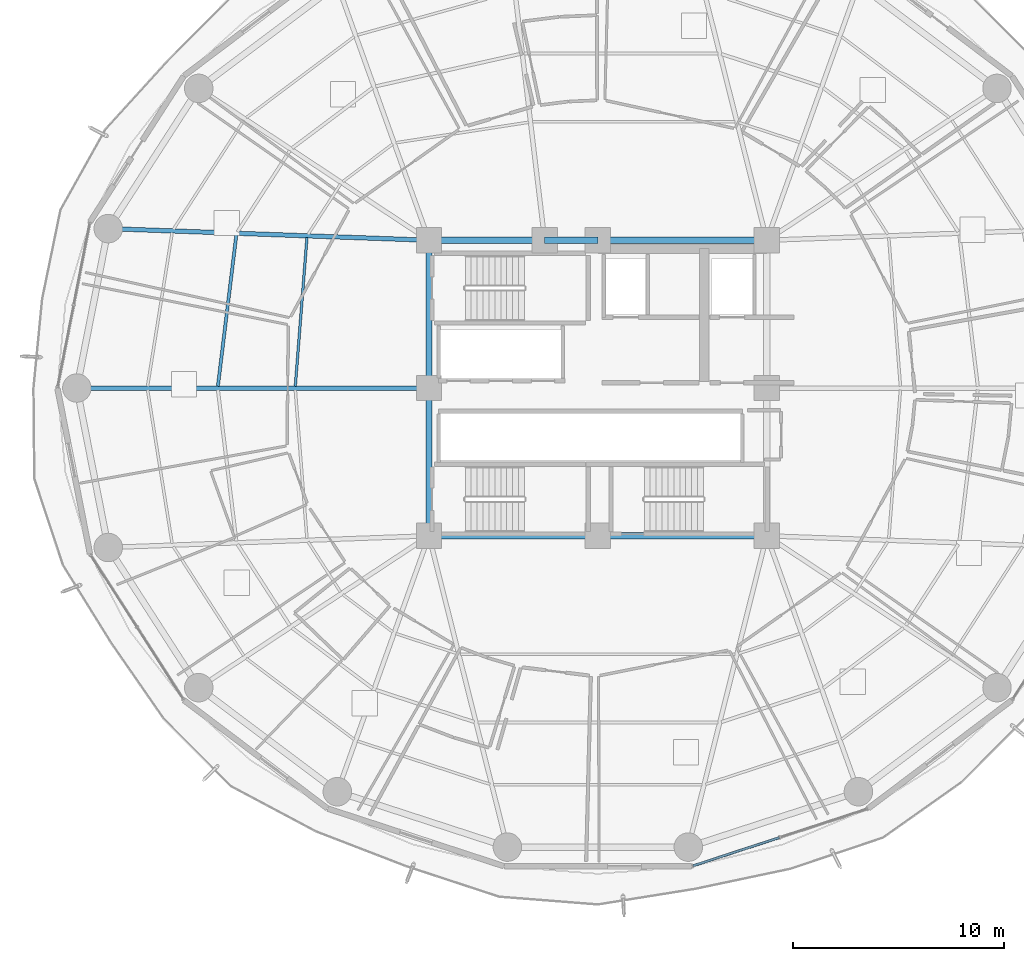
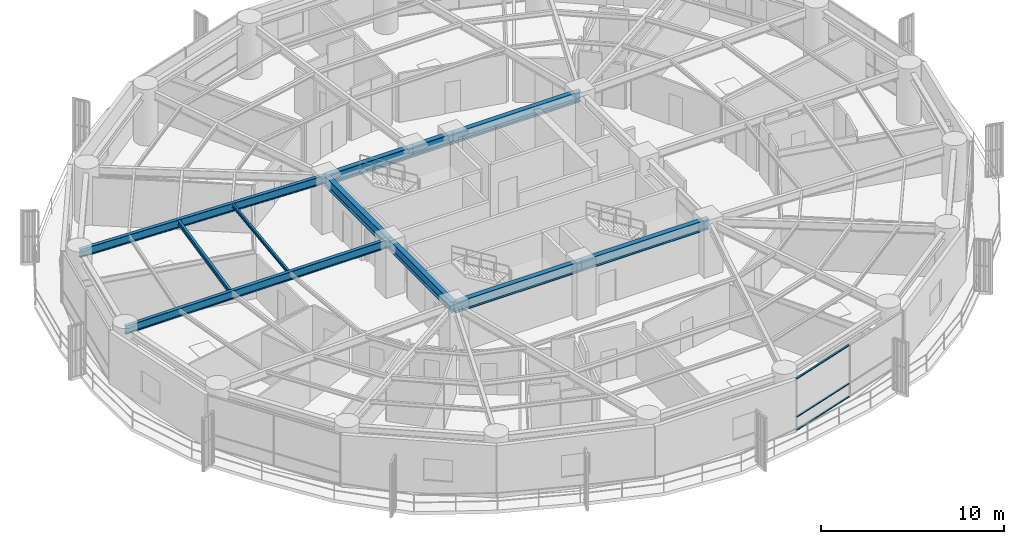
# One storey, part 9 of 35: 11 beams, 3 members, 1 element without a shape of its own.
"""IFC4 building model written with IfcOpenShell, lengths in metres."""

from ifc_helpers import new_model, si_unit, direction, frame, origin, origin_2d, place, context, subcontext, project, spatial, hollow_rectangle, i_section, extrude, material, layer, layer_set, material_profile, profile_set, type_object, element, aggregate, save


model = new_model("IFC4")

# Units and contexts
model_context = context("Model", 3, precision=1e-05, world=origin(), true_north=direction((0.0, 1.0)))
body_context = subcontext(model_context, "Body", "Model", "MODEL_VIEW")
ifc_project = project(units=[si_unit("LENGTHUNIT", "METRE"), si_unit("AREAUNIT", "SQUARE_METRE"), si_unit("VOLUMEUNIT", "CUBIC_METRE"), si_unit("PLANEANGLEUNIT", "RADIAN"), si_unit("MASSUNIT", "GRAM", prefix="KILO")], contexts=[model_context])

# Site, building, storey
site_placement = place(None, origin())
site = spatial("IfcSite", under=ifc_project, at=site_placement, CompositionType="ELEMENT")
building_placement = place(site_placement, origin())
building = spatial("IfcBuilding", under=site, at=building_placement, Name="Kelanora Arch Commons", CompositionType="ELEMENT")
storey_placement = place(building_placement, frame((0.0, 0.0, 117.60009765625)))
storey = spatial("IfcBuildingStorey", under=building, at=storey_placement, Name="L30", CompositionType="ELEMENT", Elevation=117.60009765625)

# Beams
ifc_material_1 = material(Name="Steel S355", Category="steel")
ifc_material_profile_1 = material_profile(ifc_material_1, i_section(OverallWidth=0.300048828125, OverallDepth=0.699951171875, WebThickness=0.01708984375, FlangeThickness=0.031982421875, FilletRadius=0.027099609375, at=origin_2d()), Name="HEB700")
ifc_profile_set_1 = profile_set([ifc_material_profile_1], Name="Steel S355")
beam_type_1 = type_object("IfcBeamType", Name="BM-CORE-HDR", PredefinedType="BEAM", material=ifc_profile_set_1)
for number, where, z_axis, x_axis, name in (
    (1, (66.0, 51.0, 3.139892578125), (1.0, 0.0, 0.0), (0.0, 1.0, 0.0), "Core Header Beam 01 L30"),
    (2, (74.0, 51.0, 3.139892578125), (1.0, 0.0, 0.0), (0.0, 1.0, 0.0), "Core Header Beam 02 L30"),
    (3, (82.0, 65.0, 3.139892578125), (-1.0, 0.0, 0.0), (0.0, -1.0, 0.0), "Core Header Beam 05 L30"),
):
    element("IfcBeam", number, at=place(storey_placement, frame(where, z_axis=z_axis, x_axis=x_axis)), inside=storey, type_object=beam_type_1, Name=name, PredefinedType="BEAM", context=body_context, shape_type="SweptSolid", body=[
        extrude(i_section(OverallWidth=0.300048828125, OverallDepth=0.699951171875, WebThickness=0.01708984375, FlangeThickness=0.031982421875, FilletRadius=0.027099609375, at=origin_2d()), origin(), (0.0, 0.0, 1.0), 8.0),
    ])
beam_1_placement = place(storey_placement, frame((74.0, 65.0, 3.139892578125), z_axis=(-1.0, 0.0, 0.0), x_axis=(0.0, -1.0, 0.0)))
element("IfcBeam", 4, at=beam_1_placement, inside=storey, type_object=beam_type_1, Name="Core Header Beam 06 L30", PredefinedType="BEAM", context=body_context, shape_type="SweptSolid", body=[
    extrude(i_section(OverallWidth=0.300048828125, OverallDepth=0.699951171875, WebThickness=0.01708984375, FlangeThickness=0.031982421875, FilletRadius=0.027099609375, at=origin_2d()), origin(), (0.0, 0.0, 1.0), 2.52001953125),
])
beam_2_placement = place(storey_placement, frame((71.47998046875, 65.0, 3.139892578125), z_axis=(-1.0, 0.0, 0.0), x_axis=(0.0, -1.0, 0.0)))
element("IfcBeam", 5, at=beam_2_placement, inside=storey, type_object=beam_type_1, Name="Core Header Beam 07 L30", PredefinedType="BEAM", context=body_context, shape_type="SweptSolid", body=[
    extrude(i_section(OverallWidth=0.300048828125, OverallDepth=0.699951171875, WebThickness=0.01708984375, FlangeThickness=0.031982421875, FilletRadius=0.027099609375, at=origin_2d()), origin(), (0.0, 0.0, 1.0), 5.47998046875),
])
for number, where, z_axis, x_axis, name in (
    (6, (66.0, 65.0, 3.139892578125), (0.0, -1.0, 0.0), (1.0, 0.0, 0.0), "Core Header Beam 08 L30"),
    (7, (66.0, 58.0, 3.139892578125), (0.0, -1.0, 0.0), (1.0, 0.0, 0.0), "Core Header Beam 09 L30"),
):
    element("IfcBeam", number, at=place(storey_placement, frame(where, z_axis=z_axis, x_axis=x_axis)), inside=storey, type_object=beam_type_1, Name=name, PredefinedType="BEAM", context=body_context, shape_type="SweptSolid", body=[
        extrude(i_section(OverallWidth=0.300048828125, OverallDepth=0.699951171875, WebThickness=0.01708984375, FlangeThickness=0.031982421875, FilletRadius=0.027099609375, at=origin_2d()), origin(), (0.0, 0.0, 1.0), 7.0),
    ])
ifc_material_profile_2 = material_profile(ifc_material_1, i_section(OverallWidth=0.14990234375, OverallDepth=0.300048828125, WebThickness=0.007080078125, FlangeThickness=0.0107421875, FilletRadius=0.014892578125, at=origin_2d()), Name="IPE300")
ifc_profile_set_2 = profile_set([ifc_material_profile_2], Name="Steel S355")
beam_type_2 = type_object("IfcBeamType", Name="BM-JST-01", PredefinedType="JOIST", material=ifc_profile_set_2)
beam_3_placement = place(storey_placement, frame((56.874755859375, 65.24658203125, 3.33984375), z_axis=(-0.120935645266, -0.992660349618, 0.0), x_axis=(0.992660349618, -0.120935645266, 0.0)))
element("IfcBeam", 8, at=beam_3_placement, inside=storey, type_object=beam_type_2, Name="Secondary Chord Joist BJB-16 L30", PredefinedType="JOIST", context=body_context, shape_type="SweptSolid", body=[
    extrude(i_section(OverallWidth=0.14990234375, OverallDepth=0.300048828125, WebThickness=0.007080078125, FlangeThickness=0.0107421875, FilletRadius=0.014892578125, at=origin_2d()), origin(), (0.0, 0.0, 1.0), 7.215087890625),
])
ifc_material_profile_3 = material_profile(ifc_material_1, i_section(OverallWidth=0.1201171875, OverallDepth=0.239990234375, WebThickness=0.006103515625, FlangeThickness=0.009765625, FilletRadius=0.014892578125, at=origin_2d()), Name="IPE240")
ifc_profile_set_3 = profile_set([ifc_material_profile_3], Name="Steel S355")
beam_type_3 = type_object("IfcBeamType", Name="BM-JST-02", PredefinedType="JOIST", material=ifc_profile_set_3)
beam_4_placement = place(storey_placement, frame((60.220458984375, 65.125, 3.369873046875), z_axis=(-0.078200677502, -0.996937637989, 0.0), x_axis=(0.996937637989, -0.078200677502, 0.0)))
element("IfcBeam", 9, at=beam_4_placement, inside=storey, type_object=beam_type_3, Name="Secondary Chord Joist BJA-16 L30", PredefinedType="JOIST", context=body_context, shape_type="SweptSolid", body=[
    extrude(i_section(OverallWidth=0.1201171875, OverallDepth=0.239990234375, WebThickness=0.006103515625, FlangeThickness=0.009765625, FilletRadius=0.014892578125, at=origin_2d()), origin(), (0.0, 0.0, 1.0), 7.06201171875),
])
ifc_material_profile_4 = material_profile(ifc_material_1, i_section(OverallWidth=0.2099609375, OverallDepth=0.550048828125, WebThickness=0.010986328125, FlangeThickness=0.01708984375, FilletRadius=0.02392578125, at=origin_2d()), Name="IPE550")
ifc_profile_set_4 = profile_set([ifc_material_profile_4], Name="Steel S355")
beam_type_4 = type_object("IfcBeamType", Name="BM-RAD-Z2", PredefinedType="BEAM", material=ifc_profile_set_4)
beam_5_placement = place(storey_placement, frame((66.0, 65.0, 3.21484375), z_axis=(-0.999341087625, 0.036295875581, 0.0), x_axis=(-0.036295875581, -0.999341087625, 0.0)))
element("IfcBeam", 10, at=beam_5_placement, inside=storey, type_object=beam_type_4, Name="Radial Floor Girder BR-16 L30", PredefinedType="BEAM", context=body_context, shape_type="SweptSolid", body=[
    extrude(i_section(OverallWidth=0.2099609375, OverallDepth=0.550048828125, WebThickness=0.010986328125, FlangeThickness=0.01708984375, FilletRadius=0.02392578125, at=origin_2d()), origin(), (0.0, 0.0, 1.0), 15.20166015625),
])
beam_6_placement = place(storey_placement, frame((66.0, 58.0, 3.21484375), z_axis=(-1.0, 0.0, 0.0), x_axis=(0.0, -1.0, 0.0)))
element("IfcBeam", 11, at=beam_6_placement, inside=storey, type_object=beam_type_4, Name="Radial Floor Girder BR-18 L30", PredefinedType="BEAM", context=body_context, shape_type="SweptSolid", body=[
    extrude(i_section(OverallWidth=0.2099609375, OverallDepth=0.550048828125, WebThickness=0.010986328125, FlangeThickness=0.01708984375, FilletRadius=0.02392578125, at=origin_2d()), origin(), (0.0, 0.0, 1.0), 16.679931640625),
])

# Curtain wall, members
ifc_material_2 = material(Name="Terracotta ceramic-fritted low-E glass and aluminium", Category="masonry")
ifc_layer = layer(ifc_material_2, 0.159912109375)
ifc_layer_set = layer_set([ifc_layer], Name="Terracotta ceramic-fritted low-E glass and aluminium")
curtain_wall_type = type_object("IfcCurtainWallType", Name="CW-SYS-01", PredefinedType="NOTDEFINED", material=ifc_layer_set)
curtain_wall_placement = place(storey_placement, origin())
curtain_wall = element("IfcCurtainWall", 12, at=curtain_wall_placement, inside=storey, type_object=curtain_wall_type, Name="Unitised Curtain Wall L30-B14", PredefinedType="NOTDEFINED")
ifc_material_3 = material(Name="Powder-coated aluminium terracotta", Category="masonry")
ifc_material_profile_5 = material_profile(ifc_material_3, hollow_rectangle(XDim=0.1201171875, YDim=0.06005859375, WallThickness=0.0048828125, InnerFilletRadius=0.0048828125, OuterFilletRadius=0.010009765625, at=origin_2d()), Name="CWT120x60")
ifc_profile_set_5 = profile_set([ifc_material_profile_5], Name="Powder-coated aluminium terracotta")
member_type = type_object("IfcMemberType", Name="CWT-STD", PredefinedType="USERDEFINED", material=ifc_profile_set_5)
member_1_placement = place(storey_placement, frame((78.516845703125, 35.372802734375, 0.02978515625), z_axis=(0.950477544745, 0.31079323824, 0.0), x_axis=(-0.31079323824, 0.950477544745, 0.0)))
member_1 = element("IfcMember", 13, at=member_1_placement, type_object=member_type, Name="CW-01 transom 1.1", ObjectType="TRANSOM", PredefinedType="USERDEFINED", context=body_context, shape_type="SweptSolid", body=[
    extrude(hollow_rectangle(XDim=0.1201171875, YDim=0.06005859375, WallThickness=0.0048828125, InnerFilletRadius=0.0048828125, OuterFilletRadius=0.010009765625, at=origin_2d()), origin(), (0.0, 0.0, 1.0), 4.289794921875),
])
member_2_placement = place(storey_placement, frame((78.516845703125, 35.372802734375, 0.89990234375), z_axis=(0.950477544745, 0.31079323824, 0.0), x_axis=(-0.31079323824, 0.950477544745, 0.0)))
member_2 = element("IfcMember", 14, at=member_2_placement, type_object=member_type, Name="CW-01 transom 1.2", ObjectType="TRANSOM", PredefinedType="USERDEFINED", context=body_context, shape_type="SweptSolid", body=[
    extrude(hollow_rectangle(XDim=0.1201171875, YDim=0.06005859375, WallThickness=0.0048828125, InnerFilletRadius=0.0048828125, OuterFilletRadius=0.010009765625, at=origin_2d()), origin(), (0.0, 0.0, 1.0), 4.289794921875),
])
member_3_placement = place(storey_placement, frame((78.516845703125, 35.372802734375, 3.44482421875), z_axis=(0.950477544745, 0.31079323824, 0.0), x_axis=(-0.31079323824, 0.950477544745, 0.0)))
member_3 = element("IfcMember", 15, at=member_3_placement, type_object=member_type, Name="CW-01 transom 1.3", ObjectType="TRANSOM", PredefinedType="USERDEFINED", context=body_context, shape_type="SweptSolid", body=[
    extrude(hollow_rectangle(XDim=0.1201171875, YDim=0.06005859375, WallThickness=0.0048828125, InnerFilletRadius=0.0048828125, OuterFilletRadius=0.010009765625, at=origin_2d()), origin(), (0.0, 0.0, 1.0), 4.289794921875),
])
aggregate(curtain_wall, [member_1, member_2, member_3])

save(model, "model.ifc")
